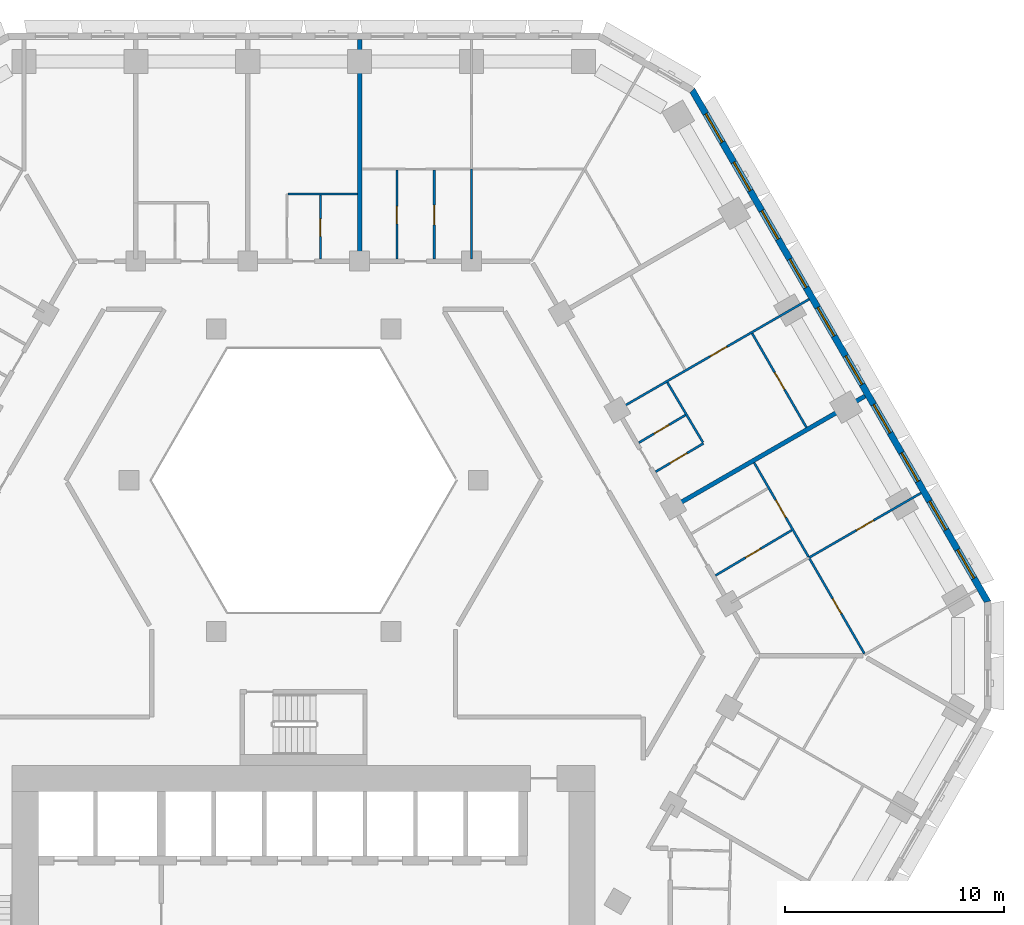
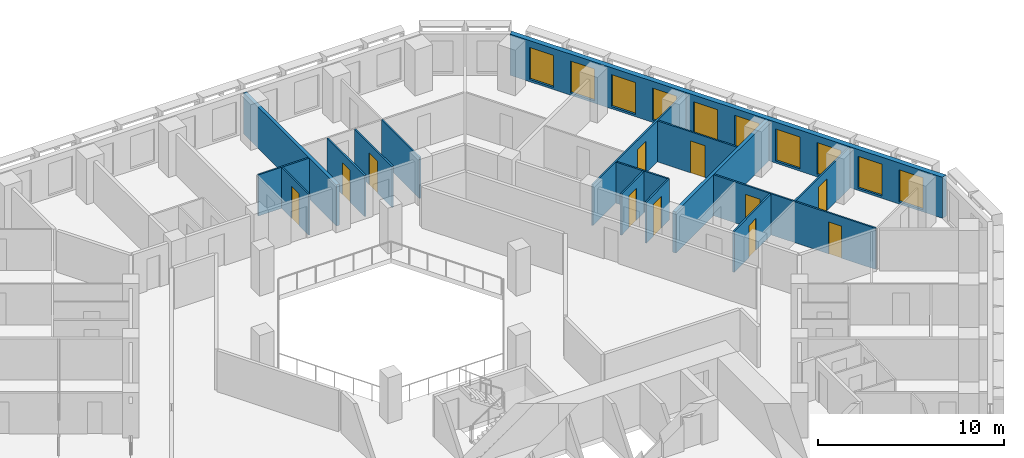
# One storey, part 11 of 21: 16 walls, 11 doors, 10 windows, 21 openings.
"""IFC4 building model written with IfcOpenShell, lengths in metres."""

from ifc_helpers import new_model, si_unit, direction, frame, frame_2d, origin, place, context, subcontext, project, spatial, polyline, rectangle, outline, extrude, material, layer, layer_set, type_object, element, fill, save


model = new_model("IFC4")

# Units and contexts
model_context = context("Model", 3, precision=1e-05, world=origin(), true_north=direction((0.0, 1.0)))
body_context = subcontext(model_context, "Body", "Model", "MODEL_VIEW")
ifc_project = project(units=[si_unit("LENGTHUNIT", "METRE"), si_unit("AREAUNIT", "SQUARE_METRE"), si_unit("VOLUMEUNIT", "CUBIC_METRE"), si_unit("PLANEANGLEUNIT", "RADIAN"), si_unit("MASSUNIT", "GRAM", prefix="KILO")], contexts=[model_context])

# Site, building, storey
site_placement = place(None, origin())
site = spatial("IfcSite", under=ifc_project, at=site_placement, CompositionType="ELEMENT")
building_placement = place(site_placement, origin())
building = spatial("IfcBuilding", under=site, at=building_placement, Name="Beryl Residences", CompositionType="ELEMENT")
storey_placement = place(building_placement, frame((0.0, 0.0, 29.39990234375)))
storey = spatial("IfcBuildingStorey", under=building, at=storey_placement, Name="L08", CompositionType="ELEMENT", Elevation=29.39990234375)

# Wall, openings, windows
ifc_material_1 = material(Name="Composite metal panel with mineral wool insulation")
ifc_layer_1 = layer(ifc_material_1, 0.300048828125)
ifc_layer_set_1 = layer_set([ifc_layer_1], Name="ES1 pale metal composite panel wall 300 mm")
wall_type_1 = type_object("IfcWallType", Name="ES1 pale metal composite panel wall 300 mm", PredefinedType="SOLIDWALL", material=ifc_layer_set_1)
wall_1_placement = place(storey_placement, frame((31.219970703125, 2.425048828125, 0.0), z_axis=(0.0, 0.0, 1.0), x_axis=(-0.500001938803, 0.866024284413, 0.0)))
wall_1 = element("IfcWall", 1, at=wall_1_placement, inside=storey, type_object=wall_type_1, Name="ES1 external wall L08 NE", PredefinedType="SOLIDWALL", context=body_context, shape_type="SweptSolid", body=[
    extrude(outline(polyline([(0.0, -0.14990234375), (27.02001953125, -0.14990234375), (26.939697265625, 0.14990234375), (0.080322265625, 0.14990234375), (0.0, -0.14990234375)])), origin(), (0.0, 0.0, 1.0), 2.7001953125),
])
opening_1_placement = place(wall_1_placement, frame((1.277099609375, 0.0, 0.14990234375)))
opening_1 = element("IfcOpeningElement", 2, at=opening_1_placement, cuts=wall_1, Name="Opening W1", PredefinedType="OPENING", context=body_context, shape_type="SweptSolid", body=[
    extrude(rectangle(XDim=1.5, YDim=2.10009765625, at=frame_2d((0.75, 1.050048828125))), frame((0.0, 0.159912109375, 0.0), z_axis=(0.0, -1.0, 0.0), x_axis=(1.0, 0.0, 0.0)), (0.0, 0.0, 1.0), 0.320068359375),
])
opening_2_placement = place(wall_1_placement, frame((3.8291015625, 0.0, 0.14990234375)))
opening_2 = element("IfcOpeningElement", 3, at=opening_2_placement, cuts=wall_1, Name="Opening W1", PredefinedType="OPENING", context=body_context, shape_type="SweptSolid", body=[
    extrude(rectangle(XDim=1.5, YDim=2.10009765625, at=frame_2d((0.75, 1.050048828125))), frame((0.0, 0.159912109375, 0.0), z_axis=(0.0, -1.0, 0.0), x_axis=(1.0, 0.0, 0.0)), (0.0, 0.0, 1.0), 0.320068359375),
])
opening_3_placement = place(wall_1_placement, frame((6.382080078125, 0.0, 0.14990234375)))
opening_3 = element("IfcOpeningElement", 4, at=opening_3_placement, cuts=wall_1, Name="Opening W1", PredefinedType="OPENING", context=body_context, shape_type="SweptSolid", body=[
    extrude(rectangle(XDim=1.5, YDim=2.10009765625, at=frame_2d((0.75, 1.050048828125))), frame((0.0, 0.159912109375, 0.0), z_axis=(0.0, -1.0, 0.0), x_axis=(1.0, 0.0, 0.0)), (0.0, 0.0, 1.0), 0.320068359375),
])
opening_4_placement = place(wall_1_placement, frame((8.93310546875, 0.0, 0.14990234375)))
opening_4 = element("IfcOpeningElement", 5, at=opening_4_placement, cuts=wall_1, Name="Opening W1", PredefinedType="OPENING", context=body_context, shape_type="SweptSolid", body=[
    extrude(rectangle(XDim=1.5, YDim=2.10009765625, at=frame_2d((0.75, 1.050048828125))), frame((0.0, 0.159912109375, 0.0), z_axis=(0.0, -1.0, 0.0), x_axis=(1.0, 0.0, 0.0)), (0.0, 0.0, 1.0), 0.320068359375),
])
opening_5_placement = place(wall_1_placement, frame((11.485107421875, 0.0, 0.14990234375)))
opening_5 = element("IfcOpeningElement", 6, at=opening_5_placement, cuts=wall_1, Name="Opening W1", PredefinedType="OPENING", context=body_context, shape_type="SweptSolid", body=[
    extrude(rectangle(XDim=1.5, YDim=2.10009765625, at=frame_2d((0.75, 1.050048828125))), frame((0.0, 0.159912109375, 0.0), z_axis=(0.0, -1.0, 0.0), x_axis=(1.0, 0.0, 0.0)), (0.0, 0.0, 1.0), 0.320068359375),
])
opening_6_placement = place(wall_1_placement, frame((14.037109375, 0.0, 0.14990234375)))
opening_6 = element("IfcOpeningElement", 7, at=opening_6_placement, cuts=wall_1, Name="Opening W1", PredefinedType="OPENING", context=body_context, shape_type="SweptSolid", body=[
    extrude(rectangle(XDim=1.5, YDim=2.10009765625, at=frame_2d((0.75, 1.050048828125))), frame((0.0, 0.159912109375, 0.0), z_axis=(0.0, -1.0, 0.0), x_axis=(1.0, 0.0, 0.0)), (0.0, 0.0, 1.0), 0.320068359375),
])
opening_7_placement = place(wall_1_placement, frame((16.589111328125, 0.0, 0.14990234375)))
opening_7 = element("IfcOpeningElement", 8, at=opening_7_placement, cuts=wall_1, Name="Opening W1", PredefinedType="OPENING", context=body_context, shape_type="SweptSolid", body=[
    extrude(rectangle(XDim=1.5, YDim=2.10009765625, at=frame_2d((0.75, 1.050048828125))), frame((0.0, 0.159912109375, 0.0), z_axis=(0.0, -1.0, 0.0), x_axis=(1.0, 0.0, 0.0)), (0.0, 0.0, 1.0), 0.320068359375),
])
opening_8_placement = place(wall_1_placement, frame((19.14111328125, 0.0, 0.14990234375)))
opening_8 = element("IfcOpeningElement", 9, at=opening_8_placement, cuts=wall_1, Name="Opening W1", PredefinedType="OPENING", context=body_context, shape_type="SweptSolid", body=[
    extrude(rectangle(XDim=1.5, YDim=2.10009765625, at=frame_2d((0.75, 1.050048828125))), frame((0.0, 0.159912109375, 0.0), z_axis=(0.0, -1.0, 0.0), x_axis=(1.0, 0.0, 0.0)), (0.0, 0.0, 1.0), 0.320068359375),
])
opening_9_placement = place(wall_1_placement, frame((21.693115234375, 0.0, 0.14990234375)))
opening_9 = element("IfcOpeningElement", 10, at=opening_9_placement, cuts=wall_1, Name="Opening W1", PredefinedType="OPENING", context=body_context, shape_type="SweptSolid", body=[
    extrude(rectangle(XDim=1.5, YDim=2.10009765625, at=frame_2d((0.75, 1.050048828125))), frame((0.0, 0.159912109375, 0.0), z_axis=(0.0, -1.0, 0.0), x_axis=(1.0, 0.0, 0.0)), (0.0, 0.0, 1.0), 0.320068359375),
])
opening_10_placement = place(wall_1_placement, frame((24.243896484375, 0.0, 0.14990234375)))
opening_10 = element("IfcOpeningElement", 11, at=opening_10_placement, cuts=wall_1, Name="Opening W1", PredefinedType="OPENING", context=body_context, shape_type="SweptSolid", body=[
    extrude(rectangle(XDim=1.5, YDim=2.10009765625, at=frame_2d((0.75, 1.050048828125))), frame((0.0, 0.159912109375, 0.0), z_axis=(0.0, -1.0, 0.0), x_axis=(1.0, 0.0, 0.0)), (0.0, 0.0, 1.0), 0.320068359375),
])
ifc_material_2 = material(Name="Aluminium and clear glass", Category="aluminium")
window_type = type_object("IfcWindowType", Name="W1 cell window 1500 x 2100 mm", PartitioningType="SINGLE_PANEL", PredefinedType="WINDOW", material=ifc_material_2)
window_1_placement = place(opening_1_placement, origin())
window_1 = element("IfcWindow", 12, at=window_1_placement, inside=storey, type_object=window_type, Name="W1 window L08 NE 1", OverallHeight=2.10009765625, OverallWidth=1.5, PartitioningType="SINGLE_PANEL", PredefinedType="WINDOW", context=body_context, shape_type="SweptSolid", body=[
    extrude(rectangle(XDim=1.5, YDim=2.10009765625, at=frame_2d((0.75, 1.050048828125))), frame((0.0, 0.030029296875, 0.0), z_axis=(0.0, -1.0, 0.0), x_axis=(1.0, 0.0, 0.0)), (0.0, 0.0, 1.0), 0.06005859375),
])
fill(opening_1, window_1)
window_2_placement = place(opening_2_placement, origin())
window_2 = element("IfcWindow", 13, at=window_2_placement, inside=storey, type_object=window_type, Name="W1 window L08 NE 2", OverallHeight=2.10009765625, OverallWidth=1.5, PartitioningType="SINGLE_PANEL", PredefinedType="WINDOW", context=body_context, shape_type="SweptSolid", body=[
    extrude(rectangle(XDim=1.5, YDim=2.10009765625, at=frame_2d((0.75, 1.050048828125))), frame((0.0, 0.030029296875, 0.0), z_axis=(0.0, -1.0, 0.0), x_axis=(1.0, 0.0, 0.0)), (0.0, 0.0, 1.0), 0.06005859375),
])
fill(opening_2, window_2)
window_3_placement = place(opening_3_placement, origin())
window_3 = element("IfcWindow", 14, at=window_3_placement, inside=storey, type_object=window_type, Name="W1 window L08 NE 3", OverallHeight=2.10009765625, OverallWidth=1.5, PartitioningType="SINGLE_PANEL", PredefinedType="WINDOW", context=body_context, shape_type="SweptSolid", body=[
    extrude(rectangle(XDim=1.5, YDim=2.10009765625, at=frame_2d((0.75, 1.050048828125))), frame((0.0, 0.030029296875, 0.0), z_axis=(0.0, -1.0, 0.0), x_axis=(1.0, 0.0, 0.0)), (0.0, 0.0, 1.0), 0.06005859375),
])
fill(opening_3, window_3)
window_4_placement = place(opening_4_placement, origin())
window_4 = element("IfcWindow", 15, at=window_4_placement, inside=storey, type_object=window_type, Name="W1 window L08 NE 4", OverallHeight=2.10009765625, OverallWidth=1.5, PartitioningType="SINGLE_PANEL", PredefinedType="WINDOW", context=body_context, shape_type="SweptSolid", body=[
    extrude(rectangle(XDim=1.5, YDim=2.10009765625, at=frame_2d((0.75, 1.050048828125))), frame((0.0, 0.030029296875, 0.0), z_axis=(0.0, -1.0, 0.0), x_axis=(1.0, 0.0, 0.0)), (0.0, 0.0, 1.0), 0.06005859375),
])
fill(opening_4, window_4)
window_5_placement = place(opening_5_placement, origin())
window_5 = element("IfcWindow", 16, at=window_5_placement, inside=storey, type_object=window_type, Name="W1 window L08 NE 5", OverallHeight=2.10009765625, OverallWidth=1.5, PartitioningType="SINGLE_PANEL", PredefinedType="WINDOW", context=body_context, shape_type="SweptSolid", body=[
    extrude(rectangle(XDim=1.5, YDim=2.10009765625, at=frame_2d((0.75, 1.050048828125))), frame((0.0, 0.030029296875, 0.0), z_axis=(0.0, -1.0, 0.0), x_axis=(1.0, 0.0, 0.0)), (0.0, 0.0, 1.0), 0.06005859375),
])
fill(opening_5, window_5)
window_6_placement = place(opening_6_placement, origin())
window_6 = element("IfcWindow", 17, at=window_6_placement, inside=storey, type_object=window_type, Name="W1 window L08 NE 6", OverallHeight=2.10009765625, OverallWidth=1.5, PartitioningType="SINGLE_PANEL", PredefinedType="WINDOW", context=body_context, shape_type="SweptSolid", body=[
    extrude(rectangle(XDim=1.5, YDim=2.10009765625, at=frame_2d((0.75, 1.050048828125))), frame((0.0, 0.030029296875, 0.0), z_axis=(0.0, -1.0, 0.0), x_axis=(1.0, 0.0, 0.0)), (0.0, 0.0, 1.0), 0.06005859375),
])
fill(opening_6, window_6)
window_7_placement = place(opening_7_placement, origin())
window_7 = element("IfcWindow", 18, at=window_7_placement, inside=storey, type_object=window_type, Name="W1 window L08 NE 7", OverallHeight=2.10009765625, OverallWidth=1.5, PartitioningType="SINGLE_PANEL", PredefinedType="WINDOW", context=body_context, shape_type="SweptSolid", body=[
    extrude(rectangle(XDim=1.5, YDim=2.10009765625, at=frame_2d((0.75, 1.050048828125))), frame((0.0, 0.030029296875, 0.0), z_axis=(0.0, -1.0, 0.0), x_axis=(1.0, 0.0, 0.0)), (0.0, 0.0, 1.0), 0.06005859375),
])
fill(opening_7, window_7)
window_8_placement = place(opening_8_placement, origin())
window_8 = element("IfcWindow", 19, at=window_8_placement, inside=storey, type_object=window_type, Name="W1 window L08 NE 8", OverallHeight=2.10009765625, OverallWidth=1.5, PartitioningType="SINGLE_PANEL", PredefinedType="WINDOW", context=body_context, shape_type="SweptSolid", body=[
    extrude(rectangle(XDim=1.5, YDim=2.10009765625, at=frame_2d((0.75, 1.050048828125))), frame((0.0, 0.030029296875, 0.0), z_axis=(0.0, -1.0, 0.0), x_axis=(1.0, 0.0, 0.0)), (0.0, 0.0, 1.0), 0.06005859375),
])
fill(opening_8, window_8)
window_9_placement = place(opening_9_placement, origin())
window_9 = element("IfcWindow", 20, at=window_9_placement, inside=storey, type_object=window_type, Name="W1 window L08 NE 9", OverallHeight=2.10009765625, OverallWidth=1.5, PartitioningType="SINGLE_PANEL", PredefinedType="WINDOW", context=body_context, shape_type="SweptSolid", body=[
    extrude(rectangle(XDim=1.5, YDim=2.10009765625, at=frame_2d((0.75, 1.050048828125))), frame((0.0, 0.030029296875, 0.0), z_axis=(0.0, -1.0, 0.0), x_axis=(1.0, 0.0, 0.0)), (0.0, 0.0, 1.0), 0.06005859375),
])
fill(opening_9, window_9)
window_10_placement = place(opening_10_placement, origin())
window_10 = element("IfcWindow", 21, at=window_10_placement, inside=storey, type_object=window_type, Name="W1 window L08 NE 10", OverallHeight=2.10009765625, OverallWidth=1.5, PartitioningType="SINGLE_PANEL", PredefinedType="WINDOW", context=body_context, shape_type="SweptSolid", body=[
    extrude(rectangle(XDim=1.5, YDim=2.10009765625, at=frame_2d((0.75, 1.050048828125))), frame((0.0, 0.030029296875, 0.0), z_axis=(0.0, -1.0, 0.0), x_axis=(1.0, 0.0, 0.0)), (0.0, 0.0, 1.0), 0.06005859375),
])
fill(opening_10, window_10)

# Wall
ifc_material_3 = material(Name="Gypsum board partition on steel studs", Category="steel")
ifc_layer_2 = layer(ifc_material_3, 0.10009765625)
ifc_layer_set_2 = layer_set([ifc_layer_2], Name="PT1 partition 100 mm gypsum board on steel studs")
wall_type_2 = type_object("IfcWallType", Name="PT1 partition 100 mm gypsum board on steel studs", PredefinedType="PARTITIONING", material=ifc_layer_set_2)
wall_2_placement = place(storey_placement, frame((16.589111328125, 12.468017578125, 0.0), z_axis=(0.0, 0.0, 1.0), x_axis=(0.510331599186, -0.859977708358, 0.0)))
element("IfcWall", 22, at=wall_2_placement, inside=storey, type_object=wall_type_2, Name="Wall PT1 L08 001", PredefinedType="PARTITIONING", context=body_context, shape_type="SweptSolid", body=[
    extrude(rectangle(XDim=3.18603515625, YDim=0.10009765625, at=frame_2d((1.593017578125, 0.0))), origin(), (0.0, 0.0, 1.0), 2.7001953125),
])

# Wall, openings, doors
wall_3_placement = place(storey_placement, frame((20.551025390625, 8.804931640625, 0.0), z_axis=(0.0, 0.0, 1.0), x_axis=(0.499984387913, -0.86603441724, 0.0)))
wall_3 = element("IfcWall", 23, at=wall_3_placement, inside=storey, type_object=wall_type_2, Name="Wall PT1 L08 005", PredefinedType="PARTITIONING", context=body_context, shape_type="SweptSolid", body=[
    extrude(rectangle(XDim=10.058349609375, YDim=0.10009765625, at=frame_2d((5.029296875, 0.0))), origin(), (0.0, 0.0, 1.0), 2.7001953125),
])
opening_11_placement = place(wall_3_placement, frame((1.97802734375, 0.0, 0.0)))
opening_11 = element("IfcOpeningElement", 24, at=opening_11_placement, cuts=wall_3, Name="Opening D0131", PredefinedType="OPENING", context=body_context, shape_type="SweptSolid", body=[
    extrude(rectangle(XDim=0.89990234375, YDim=2.10009765625, at=frame_2d((0.449951171875, 1.050048828125))), frame((0.0, 0.06005859375, 0.0), z_axis=(0.0, -1.0, 0.0), x_axis=(1.0, 0.0, 0.0)), (0.0, 0.0, 1.0), 0.1201171875),
])
opening_12_placement = place(wall_3_placement, frame((7.156982421875, 0.0, 0.0)))
opening_12 = element("IfcOpeningElement", 25, at=opening_12_placement, cuts=wall_3, Name="Opening D0134", PredefinedType="OPENING", context=body_context, shape_type="SweptSolid", body=[
    extrude(rectangle(XDim=0.800048828125, YDim=2.10009765625, at=frame_2d((0.39990234375, 1.050048828125))), frame((0.0, 0.06005859375, 0.0), z_axis=(0.0, -1.0, 0.0), x_axis=(1.0, 0.0, 0.0)), (0.0, 0.0, 1.0), 0.1201171875),
])
ifc_material_4 = material(Name="Timber door leaf", Category="wood")
door_type_1 = type_object("IfcDoorType", Name="D2 room door 900 x 2100 mm", OperationType="SINGLE_SWING_LEFT", PredefinedType="DOOR", material=ifc_material_4)
door_1_placement = place(opening_11_placement, origin())
door_1 = element("IfcDoor", 26, at=door_1_placement, inside=storey, type_object=door_type_1, Name="Door D0131 L08 001", OperationType="SINGLE_SWING_LEFT", OverallHeight=2.10009765625, OverallWidth=0.89990234375, PredefinedType="DOOR", context=body_context, shape_type="SweptSolid", body=[
    extrude(rectangle(XDim=0.89990234375, YDim=2.10009765625, at=frame_2d((0.449951171875, 1.050048828125))), frame((0.0, 0.02490234375, 0.0), z_axis=(0.0, -1.0, 0.0), x_axis=(1.0, 0.0, 0.0)), (0.0, 0.0, 1.0), 0.050048828125),
])
fill(opening_11, door_1)
ifc_material_5 = material(Name="Timber door leaf", Category="wood")
door_type_2 = type_object("IfcDoorType", Name="D3 bathroom door 800 x 2100 mm", OperationType="SINGLE_SWING_LEFT", PredefinedType="DOOR", material=ifc_material_5)
door_2_placement = place(opening_12_placement, origin())
door_2 = element("IfcDoor", 27, at=door_2_placement, inside=storey, type_object=door_type_2, Name="Door D0134 L08 001", OperationType="SINGLE_SWING_RIGHT", OverallHeight=2.10009765625, OverallWidth=0.800048828125, PredefinedType="DOOR", context=body_context, shape_type="SweptSolid", body=[
    extrude(rectangle(XDim=0.800048828125, YDim=2.10009765625, at=frame_2d((0.39990234375, 1.050048828125))), frame((0.0, 0.02490234375, 0.0), z_axis=(0.0, -1.0, 0.0), x_axis=(1.0, 0.0, 0.0)), (0.0, 0.0, 1.0), 0.050048828125),
])
fill(opening_12, door_2)

# Wall, opening, door
wall_4_placement = place(storey_placement, frame((20.4599609375, 14.702880859375, 0.0), z_axis=(0.0, 0.0, 1.0), x_axis=(0.499903082856, -0.866081351693, 0.0)))
wall_4 = element("IfcWall", 28, at=wall_4_placement, inside=storey, type_object=wall_type_2, Name="Wall PT1 L08 006", PredefinedType="PARTITIONING", context=body_context, shape_type="SweptSolid", body=[
    extrude(rectangle(XDim=4.953125, YDim=0.10009765625, at=frame_2d((2.4765625, 0.0))), origin(), (0.0, 0.0, 1.0), 2.7001953125),
])
opening_13_placement = place(wall_4_placement, frame((2.052001953125, 0.0, 0.0)))
opening_13 = element("IfcOpeningElement", 29, at=opening_13_placement, cuts=wall_4, Name="Opening D0138", PredefinedType="OPENING", context=body_context, shape_type="SweptSolid", body=[
    extrude(rectangle(XDim=0.89990234375, YDim=2.10009765625, at=frame_2d((0.449951171875, 1.050048828125))), frame((0.0, 0.06005859375, 0.0), z_axis=(0.0, -1.0, 0.0), x_axis=(1.0, 0.0, 0.0)), (0.0, 0.0, 1.0), 0.1201171875),
])
door_3_placement = place(opening_13_placement, origin())
door_3 = element("IfcDoor", 30, at=door_3_placement, inside=storey, type_object=door_type_1, Name="Door D0138 L08 001", OperationType="SINGLE_SWING_RIGHT", OverallHeight=2.10009765625, OverallWidth=0.89990234375, PredefinedType="DOOR", context=body_context, shape_type="SweptSolid", body=[
    extrude(rectangle(XDim=0.89990234375, YDim=2.10009765625, at=frame_2d((0.449951171875, 1.050048828125))), frame((0.0, 0.02490234375, 0.0), z_axis=(0.0, -1.0, 0.0), x_axis=(1.0, 0.0, 0.0)), (0.0, 0.0, 1.0), 0.050048828125),
])
fill(opening_13, door_3)

# Wall
wall_5_placement = place(storey_placement, frame((-0.716064453125, 21.06005859375, 0.0), z_axis=(0.0, 0.0, 1.0), x_axis=(1.0, 0.0, 0.0)))
element("IfcWall", 31, at=wall_5_placement, inside=storey, type_object=wall_type_2, Name="Wall PT1 L08 033", PredefinedType="PARTITIONING", context=body_context, shape_type="SweptSolid", body=[
    extrude(rectangle(XDim=3.1669921875, YDim=0.10009765625, at=frame_2d((1.58349609375, 0.0))), origin(), (0.0, 0.0, 1.0), 2.7001953125),
])

# Wall, opening, door
wall_6_placement = place(storey_placement, frame((4.2529296875, 18.10009765625, 0.0), z_axis=(0.0, 0.0, 1.0), x_axis=(0.0, 1.0, 0.0)))
wall_6 = element("IfcWall", 32, at=wall_6_placement, inside=storey, type_object=wall_type_2, Name="Wall PT1 L08 042", PredefinedType="PARTITIONING", context=body_context, shape_type="SweptSolid", body=[
    extrude(rectangle(XDim=4.0498046875, YDim=0.10009765625, at=frame_2d((2.02490234375, 0.0))), origin(), (0.0, 0.0, 1.0), 2.7001953125),
])
opening_14_placement = place(wall_6_placement, frame((1.60009765625, 0.0, 0.0)))
opening_14 = element("IfcOpeningElement", 33, at=opening_14_placement, cuts=wall_6, Name="Opening D0142", PredefinedType="OPENING", context=body_context, shape_type="SweptSolid", body=[
    extrude(rectangle(XDim=0.800048828125, YDim=2.10009765625, at=frame_2d((0.39990234375, 1.050048828125))), frame((0.0, 0.06005859375, 0.0), z_axis=(0.0, -1.0, 0.0), x_axis=(1.0, 0.0, 0.0)), (0.0, 0.0, 1.0), 0.1201171875),
])
door_4_placement = place(opening_14_placement, origin())
door_4 = element("IfcDoor", 34, at=door_4_placement, inside=storey, type_object=door_type_2, Name="Door D0142 L08 001", OperationType="SINGLE_SWING_RIGHT", OverallHeight=2.10009765625, OverallWidth=0.800048828125, PredefinedType="DOOR", context=body_context, shape_type="SweptSolid", body=[
    extrude(rectangle(XDim=0.800048828125, YDim=2.10009765625, at=frame_2d((0.39990234375, 1.050048828125))), frame((0.0, 0.02490234375, 0.0), z_axis=(0.0, -1.0, 0.0), x_axis=(1.0, 0.0, 0.0)), (0.0, 0.0, 1.0), 0.050048828125),
])
fill(opening_14, door_4)

wall_7_placement = place(storey_placement, frame((5.952880859375, 18.10009765625, 0.0), z_axis=(0.0, 0.0, 1.0), x_axis=(0.0, 1.0, 0.0)))
wall_7 = element("IfcWall", 35, at=wall_7_placement, inside=storey, type_object=wall_type_2, Name="Wall PT1 L08 045", PredefinedType="PARTITIONING", context=body_context, shape_type="SweptSolid", body=[
    extrude(rectangle(XDim=4.0498046875, YDim=0.10009765625, at=frame_2d((2.02490234375, 0.0))), origin(), (0.0, 0.0, 1.0), 2.7001953125),
])
opening_15_placement = place(wall_7_placement, frame((1.550048828125, 0.0, 0.0)))
opening_15 = element("IfcOpeningElement", 36, at=opening_15_placement, cuts=wall_7, Name="Opening D0143", PredefinedType="OPENING", context=body_context, shape_type="SweptSolid", body=[
    extrude(rectangle(XDim=0.89990234375, YDim=2.10009765625, at=frame_2d((0.449951171875, 1.050048828125))), frame((0.0, 0.06005859375, 0.0), z_axis=(0.0, -1.0, 0.0), x_axis=(1.0, 0.0, 0.0)), (0.0, 0.0, 1.0), 0.1201171875),
])
door_5_placement = place(opening_15_placement, origin())
door_5 = element("IfcDoor", 37, at=door_5_placement, inside=storey, type_object=door_type_1, Name="Door D0143 L08 001", OperationType="SINGLE_SWING_LEFT", OverallHeight=2.10009765625, OverallWidth=0.89990234375, PredefinedType="DOOR", context=body_context, shape_type="SweptSolid", body=[
    extrude(rectangle(XDim=0.89990234375, YDim=2.10009765625, at=frame_2d((0.449951171875, 1.050048828125))), frame((0.0, 0.02490234375, 0.0), z_axis=(0.0, -1.0, 0.0), x_axis=(1.0, 0.0, 0.0)), (0.0, 0.0, 1.0), 0.050048828125),
])
fill(opening_15, door_5)

wall_8_placement = place(storey_placement, frame((0.764892578125, 18.10009765625, 0.0), z_axis=(0.0, 0.0, 1.0), x_axis=(0.0, 1.0, 0.0)))
wall_8 = element("IfcWall", 38, at=wall_8_placement, inside=storey, type_object=wall_type_2, Name="Wall PT1 L08 046", PredefinedType="PARTITIONING", context=body_context, shape_type="SweptSolid", body=[
    extrude(rectangle(XDim=2.909912109375, YDim=0.10009765625, at=frame_2d((1.455078125, 0.0))), origin(), (0.0, 0.0, 1.0), 2.7001953125),
])
opening_16_placement = place(wall_8_placement, frame((1.030029296875, 0.0, 0.0)))
opening_16 = element("IfcOpeningElement", 39, at=opening_16_placement, cuts=wall_8, Name="Opening D0151", PredefinedType="OPENING", context=body_context, shape_type="SweptSolid", body=[
    extrude(rectangle(XDim=0.800048828125, YDim=2.10009765625, at=frame_2d((0.39990234375, 1.050048828125))), frame((0.0, 0.06005859375, 0.0), z_axis=(0.0, -1.0, 0.0), x_axis=(1.0, 0.0, 0.0)), (0.0, 0.0, 1.0), 0.1201171875),
])
door_6_placement = place(opening_16_placement, origin())
door_6 = element("IfcDoor", 40, at=door_6_placement, inside=storey, type_object=door_type_2, Name="Door D0151 L08 001", OperationType="SINGLE_SWING_LEFT", OverallHeight=2.10009765625, OverallWidth=0.800048828125, PredefinedType="DOOR", context=body_context, shape_type="SweptSolid", body=[
    extrude(rectangle(XDim=0.800048828125, YDim=2.10009765625, at=frame_2d((0.39990234375, 1.050048828125))), frame((0.0, 0.02490234375, 0.0), z_axis=(0.0, -1.0, 0.0), x_axis=(1.0, 0.0, 0.0)), (0.0, 0.0, 1.0), 0.050048828125),
])
fill(opening_16, door_6)

# Wall
wall_9_placement = place(storey_placement, frame((7.655029296875, 18.10009765625, 0.0), z_axis=(0.0, 0.0, 1.0), x_axis=(0.0, 1.0, 0.0)))
element("IfcWall", 41, at=wall_9_placement, inside=storey, type_object=wall_type_2, Name="Wall PT1 L08 047", PredefinedType="PARTITIONING", context=body_context, shape_type="SweptSolid", body=[
    extrude(rectangle(XDim=4.099853515625, YDim=0.10009765625, at=frame_2d((2.0498046875, 0.0))), origin(), (0.0, 0.0, 1.0), 2.7001953125),
])

# Wall, opening, door
wall_10_placement = place(storey_placement, frame((14.39892578125, 11.260986328125, 0.0), z_axis=(0.0, 0.0, 1.0), x_axis=(0.866022959057, 0.500004234368, 0.0)))
wall_10 = element("IfcWall", 42, at=wall_10_placement, inside=storey, type_object=wall_type_2, Name="Wall PT1 L08 066", PredefinedType="PARTITIONING", context=body_context, shape_type="SweptSolid", body=[
    extrude(rectangle(XDim=10.0, YDim=0.10009765625, at=frame_2d((5.0, 0.0))), origin(), (0.0, 0.0, 1.0), 2.7001953125),
])
opening_17_placement = place(wall_10_placement, frame((4.77490234375, 0.0, 0.0)))
opening_17 = element("IfcOpeningElement", 43, at=opening_17_placement, cuts=wall_10, Name="Opening D0139", PredefinedType="OPENING", context=body_context, shape_type="SweptSolid", body=[
    extrude(rectangle(XDim=0.89990234375, YDim=2.10009765625, at=frame_2d((0.449951171875, 1.050048828125))), frame((0.0, 0.06005859375, 0.0), z_axis=(0.0, -1.0, 0.0), x_axis=(1.0, 0.0, 0.0)), (0.0, 0.0, 1.0), 0.1201171875),
])
door_7_placement = place(opening_17_placement, origin())
door_7 = element("IfcDoor", 44, at=door_7_placement, inside=storey, type_object=door_type_1, Name="Door D0139 L08 001", OperationType="SINGLE_SWING_LEFT", OverallHeight=2.10009765625, OverallWidth=0.89990234375, PredefinedType="DOOR", context=body_context, shape_type="SweptSolid", body=[
    extrude(rectangle(XDim=0.89990234375, YDim=2.10009765625, at=frame_2d((0.449951171875, 1.050048828125))), frame((0.0, 0.02490234375, 0.0), z_axis=(0.0, -1.0, 0.0), x_axis=(1.0, 0.0, 0.0)), (0.0, 0.0, 1.0), 0.050048828125),
])
fill(opening_17, door_7)

wall_11_placement = place(storey_placement, frame((18.7880859375, 3.657958984375, 0.0), z_axis=(0.0, 0.0, 1.0), x_axis=(0.860114269096, 0.510101405701, 0.0)))
wall_11 = element("IfcWall", 45, at=wall_11_placement, inside=storey, type_object=wall_type_2, Name="Wall PT1 L08 068", PredefinedType="PARTITIONING", context=body_context, shape_type="SweptSolid", body=[
    extrude(rectangle(XDim=4.050537109375, YDim=0.10009765625, at=frame_2d((2.025390625, 0.0))), origin(), (0.0, 0.0, 1.0), 2.7001953125),
])
opening_18_placement = place(wall_11_placement, frame((1.60009765625, 0.0, 0.0)))
opening_18 = element("IfcOpeningElement", 46, at=opening_18_placement, cuts=wall_11, Name="Opening D0129", PredefinedType="OPENING", context=body_context, shape_type="SweptSolid", body=[
    extrude(rectangle(XDim=0.800048828125, YDim=2.10009765625, at=frame_2d((0.39990234375, 1.050048828125))), frame((0.0, 0.06005859375, 0.0), z_axis=(0.0, -1.0, 0.0), x_axis=(1.0, 0.0, 0.0)), (0.0, 0.0, 1.0), 0.1201171875),
])
door_8_placement = place(opening_18_placement, origin())
door_8 = element("IfcDoor", 47, at=door_8_placement, inside=storey, type_object=door_type_2, Name="Door D0129 L08 001", OperationType="SINGLE_SWING_LEFT", OverallHeight=2.10009765625, OverallWidth=0.800048828125, PredefinedType="DOOR", context=body_context, shape_type="SweptSolid", body=[
    extrude(rectangle(XDim=0.800048828125, YDim=2.10009765625, at=frame_2d((0.39990234375, 1.050048828125))), frame((0.0, 0.02490234375, 0.0), z_axis=(0.0, -1.0, 0.0), x_axis=(1.0, 0.0, 0.0)), (0.0, 0.0, 1.0), 0.050048828125),
])
fill(opening_18, door_8)

wall_12_placement = place(storey_placement, frame((16.056884765625, 8.388916015625, 0.0), z_axis=(0.0, 0.0, 1.0), x_axis=(0.860036770423, 0.510232058499, 0.0)))
wall_12 = element("IfcWall", 48, at=wall_12_placement, inside=storey, type_object=wall_type_2, Name="Wall PT1 L08 069", PredefinedType="PARTITIONING", context=body_context, shape_type="SweptSolid", body=[
    extrude(rectangle(XDim=2.538330078125, YDim=0.10009765625, at=frame_2d((1.26904296875, 0.0))), origin(), (0.0, 0.0, 1.0), 2.7001953125),
])
opening_19_placement = place(wall_12_placement, frame((0.76904296875, 0.0, 0.0)))
opening_19 = element("IfcOpeningElement", 49, at=opening_19_placement, cuts=wall_12, Name="Opening D0136", PredefinedType="OPENING", context=body_context, shape_type="SweptSolid", body=[
    extrude(rectangle(XDim=0.89990234375, YDim=2.10009765625, at=frame_2d((0.449951171875, 1.050048828125))), frame((0.0, 0.06005859375, 0.0), z_axis=(0.0, -1.0, 0.0), x_axis=(1.0, 0.0, 0.0)), (0.0, 0.0, 1.0), 0.1201171875),
])
door_9_placement = place(opening_19_placement, origin())
door_9 = element("IfcDoor", 50, at=door_9_placement, inside=storey, type_object=door_type_1, Name="Door D0136 L08 001", OperationType="SINGLE_SWING_RIGHT", OverallHeight=2.10009765625, OverallWidth=0.89990234375, PredefinedType="DOOR", context=body_context, shape_type="SweptSolid", body=[
    extrude(rectangle(XDim=0.89990234375, YDim=2.10009765625, at=frame_2d((0.449951171875, 1.050048828125))), frame((0.0, 0.02490234375, 0.0), z_axis=(0.0, -1.0, 0.0), x_axis=(1.0, 0.0, 0.0)), (0.0, 0.0, 1.0), 0.050048828125),
])
fill(opening_19, door_9)

wall_13_placement = place(storey_placement, frame((15.291015625, 9.715087890625, 0.0), z_axis=(0.0, 0.0, 1.0), x_axis=(0.860087708271, 0.510146188932, 0.0)))
wall_13 = element("IfcWall", 51, at=wall_13_placement, inside=storey, type_object=wall_type_2, Name="Wall PT1 L08 070", PredefinedType="PARTITIONING", context=body_context, shape_type="SweptSolid", body=[
    extrude(rectangle(XDim=2.471923828125, YDim=0.10009765625, at=frame_2d((1.23583984375, 0.0))), origin(), (0.0, 0.0, 1.0), 2.7001953125),
])
opening_20_placement = place(wall_13_placement, frame((0.81005859375, 0.0, 0.0)))
opening_20 = element("IfcOpeningElement", 52, at=opening_20_placement, cuts=wall_13, Name="Opening D0137", PredefinedType="OPENING", context=body_context, shape_type="SweptSolid", body=[
    extrude(rectangle(XDim=0.800048828125, YDim=2.10009765625, at=frame_2d((0.39990234375, 1.050048828125))), frame((0.0, 0.06005859375, 0.0), z_axis=(0.0, -1.0, 0.0), x_axis=(1.0, 0.0, 0.0)), (0.0, 0.0, 1.0), 0.1201171875),
])
door_10_placement = place(opening_20_placement, origin())
door_10 = element("IfcDoor", 53, at=door_10_placement, inside=storey, type_object=door_type_2, Name="Door D0137 L08 001", OperationType="SINGLE_SWING_LEFT", OverallHeight=2.10009765625, OverallWidth=0.800048828125, PredefinedType="DOOR", context=body_context, shape_type="SweptSolid", body=[
    extrude(rectangle(XDim=0.800048828125, YDim=2.10009765625, at=frame_2d((0.39990234375, 1.050048828125))), frame((0.0, 0.02490234375, 0.0), z_axis=(0.0, -1.0, 0.0), x_axis=(1.0, 0.0, 0.0)), (0.0, 0.0, 1.0), 0.050048828125),
])
fill(opening_20, door_10)

wall_14_placement = place(storey_placement, frame((23.052978515625, 4.469970703125, 0.0), z_axis=(0.0, 0.0, 1.0), x_axis=(0.866052608538, 0.499952877023, 0.0)))
wall_14 = element("IfcWall", 54, at=wall_14_placement, inside=storey, type_object=wall_type_2, Name="Wall PT1 L08 072", PredefinedType="PARTITIONING", context=body_context, shape_type="SweptSolid", body=[
    extrude(rectangle(XDim=5.900390625, YDim=0.10009765625, at=frame_2d((2.9501953125, 0.0))), origin(), (0.0, 0.0, 1.0), 2.7001953125),
])
opening_21_placement = place(wall_14_placement, frame((2.5009765625, 0.0, 0.0)))
opening_21 = element("IfcOpeningElement", 55, at=opening_21_placement, cuts=wall_14, Name="Opening D0132", PredefinedType="OPENING", context=body_context, shape_type="SweptSolid", body=[
    extrude(rectangle(XDim=0.89990234375, YDim=2.10009765625, at=frame_2d((0.449951171875, 1.050048828125))), frame((0.0, 0.06005859375, 0.0), z_axis=(0.0, -1.0, 0.0), x_axis=(1.0, 0.0, 0.0)), (0.0, 0.0, 1.0), 0.1201171875),
])
door_11_placement = place(opening_21_placement, origin())
door_11 = element("IfcDoor", 56, at=door_11_placement, inside=storey, type_object=door_type_1, Name="Door D0132 L08 001", OperationType="SINGLE_SWING_RIGHT", OverallHeight=2.10009765625, OverallWidth=0.89990234375, PredefinedType="DOOR", context=body_context, shape_type="SweptSolid", body=[
    extrude(rectangle(XDim=0.89990234375, YDim=2.10009765625, at=frame_2d((0.449951171875, 1.050048828125))), frame((0.0, 0.02490234375, 0.0), z_axis=(0.0, -1.0, 0.0), x_axis=(1.0, 0.0, 0.0)), (0.0, 0.0, 1.0), 0.050048828125),
])
fill(opening_21, door_11)

# Walls
ifc_material_6 = material(Name="Acoustic double stud gypsum board wall")
ifc_layer_3 = layer(ifc_material_6, 0.199951171875)
ifc_layer_set_3 = layer_set([ifc_layer_3], Name="PT3 party wall 200 mm acoustic double stud")
wall_type_3 = type_object("IfcWallType", Name="PT3 party wall 200 mm acoustic double stud", PredefinedType="PARTITIONING", material=ifc_layer_set_3)
for number, where, z_axis, x_axis, name in (
    (57, (2.551025390625, 18.10009765625, 0.0), (0.0, 0.0, 1.0), (0.0, 1.0, 0.0), "Wall PT3 L08 018"),
    (58, (16.949951171875, 6.841064453125, 0.0), (0.0, 0.0, 1.0), (0.866022959057, 0.500004234368, 0.0), "Wall PT3 L08 025"),
):
    element("IfcWall", number, at=place(storey_placement, frame(where, z_axis=z_axis, x_axis=x_axis)), inside=storey, type_object=wall_type_3, Name=name, PredefinedType="PARTITIONING", context=body_context, shape_type="SweptSolid", body=[
        extrude(rectangle(XDim=10.0, YDim=0.199951171875, at=frame_2d((5.0, 0.0))), origin(), (0.0, 0.0, 1.0), 2.7001953125),
    ])

save(model, "model.ifc")
